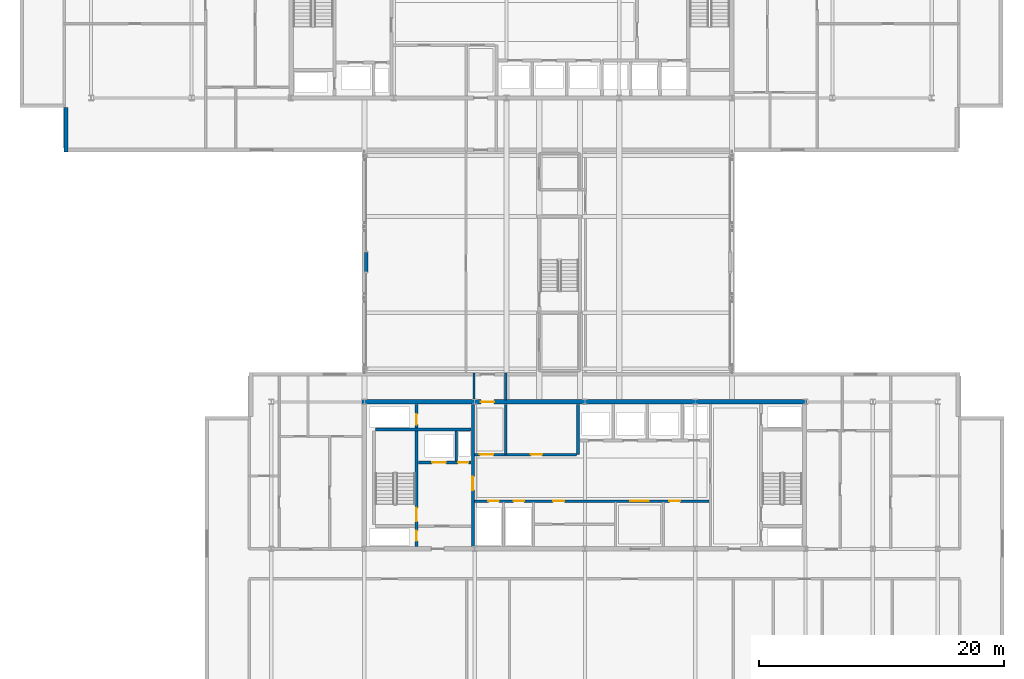
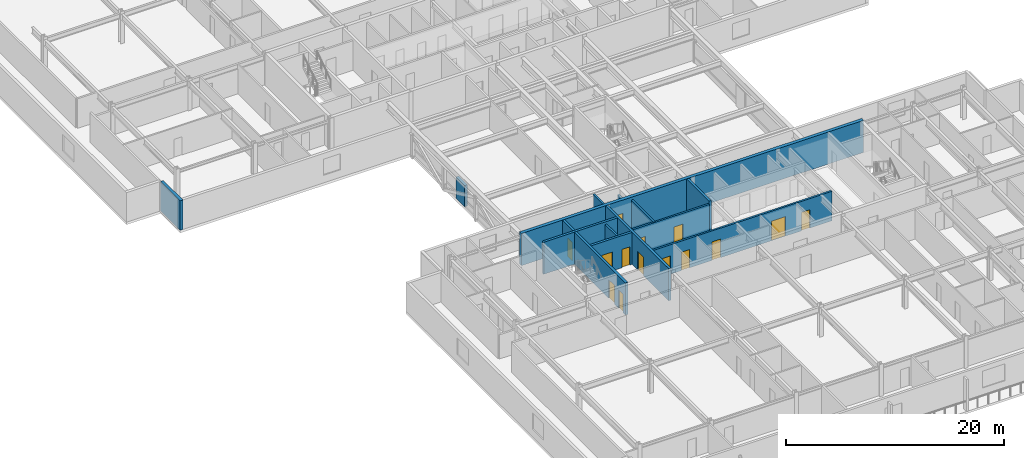
# One storey, part 19 of 35: 14 doors, 14 walls, 14 openings.
"""IFC4 building model written with IfcOpenShell, lengths in metres."""

from ifc_helpers import new_model, si_unit, direction, frame, frame_2d, origin, place, context, subcontext, project, spatial, rectangle, extrude, material, layer, layer_set, type_object, element, fill, save


model = new_model("IFC4")

# Units and contexts
model_context = context("Model", 3, precision=1e-05, world=origin(), true_north=direction((0.0, 1.0)))
body_context = subcontext(model_context, "Body", "Model", "MODEL_VIEW")
ifc_project = project(units=[si_unit("LENGTHUNIT", "METRE"), si_unit("AREAUNIT", "SQUARE_METRE"), si_unit("VOLUMEUNIT", "CUBIC_METRE"), si_unit("PLANEANGLEUNIT", "RADIAN"), si_unit("MASSUNIT", "GRAM", prefix="KILO")], contexts=[model_context])

# Site, building, storey
site_placement = place(None, origin())
site = spatial("IfcSite", under=ifc_project, at=site_placement, CompositionType="ELEMENT")
building_placement = place(site_placement, origin())
building = spatial("IfcBuilding", under=site, at=building_placement, Name="Korimba Cascade Residences", CompositionType="ELEMENT")
storey_placement = place(building_placement, frame((0.0, 0.0, 150.10009765625)))
storey = spatial("IfcBuildingStorey", under=building, at=storey_placement, Name="L43", CompositionType="ELEMENT", Elevation=150.10009765625)

# Walls
ifc_material_1 = material(Name="Precast concrete C40/50", Category="concrete")
ifc_layer_1 = layer(ifc_material_1, 0.300048828125)
ifc_layer_set_1 = layer_set([ifc_layer_1], Name="Precast concrete C40/50")
wall_type_1 = type_object("IfcWallType", Name="EW-STONE-300", PredefinedType="STANDARD", material=ifc_layer_set_1)
wall_1_placement = place(storey_placement, frame((57.75, 54.39990234375, 0.0), z_axis=(0.0, 0.0, 1.0), x_axis=(0.0, -1.0, 0.0)))
element("IfcWall", 1, at=wall_1_placement, inside=storey, type_object=wall_type_1, Name="L43 T1 Perimeter Stone Wall E11", PredefinedType="STANDARD", context=body_context, shape_type="SweptSolid", body=[
    extrude(rectangle(XDim=3.599853515625, YDim=0.300048828125, at=frame_2d((1.7998046875, 0.0))), origin(), (0.0, 0.0, 1.0), 3.309814453125),
])
wall_2_placement = place(storey_placement, frame((82.25, 41.0, 0.0), z_axis=(0.0, 0.0, 1.0), x_axis=(0.0, 1.0, 0.0)))
element("IfcWall", 2, at=wall_2_placement, inside=storey, type_object=wall_type_1, Name="L43 Skybridge West Pier", PredefinedType="STANDARD", context=body_context, shape_type="SweptSolid", body=[
    extrude(rectangle(XDim=1.60009765625, YDim=0.300048828125, at=frame_2d((0.800048828125, 0.0))), origin(), (0.0, 0.0, 1.0), 2.3798828125),
])

# Wall, opening, door
ifc_material_2 = material(Name="Concrete C65/80", Category="concrete")
ifc_layer_2 = layer(ifc_material_2, 0.35009765625)
ifc_layer_set_2 = layer_set([ifc_layer_2], Name="Concrete C65/80")
wall_type_2 = type_object("IfcWallType", Name="WAL-CORE-350", PredefinedType="SHEAR", material=ifc_layer_set_2)
wall_3_placement = place(storey_placement, frame((81.925048828125, 30.39990234375, 0.0), z_axis=(0.0, 0.0, 1.0), x_axis=(1.0, 0.0, 0.0)))
wall_3 = element("IfcWall", 3, at=wall_3_placement, inside=storey, type_object=wall_type_2, Name="L43 Core Shear Wall CW-L43-T2-N", PredefinedType="SHEAR", context=body_context, shape_type="SweptSolid", body=[
    extrude(rectangle(XDim=36.264892578125, YDim=0.35009765625, at=frame_2d((18.13232421875, 0.0))), origin(), (0.0, 0.0, 1.0), 3.599853515625),
])
opening_1_placement = place(wall_3_placement, frame((9.675048828125, 0.0, 0.0)))
opening_1 = element("IfcOpeningElement", 4, at=opening_1_placement, cuts=wall_3, Name="Opening D-FD1", PredefinedType="OPENING", context=body_context, shape_type="SweptSolid", body=[
    extrude(rectangle(XDim=1.10009765625, YDim=2.10009765625, at=frame_2d((0.550048828125, 1.050048828125))), frame((0.0, 0.18505859375, 0.0), z_axis=(0.0, -1.0, 0.0), x_axis=(1.0, 0.0, 0.0)), (0.0, 0.0, 1.0), 0.3701171875),
])
ifc_material_3 = material(Name="Fire-Rated Steel Core Door", Category="steel")
door_type_1 = type_object("IfcDoorType", Name="DR-FD120-1100", OperationType="NOTDEFINED", PredefinedType="DOOR", material=ifc_material_3)
door_1_placement = place(opening_1_placement, origin())
door_1 = element("IfcDoor", 5, at=door_1_placement, inside=storey, type_object=door_type_1, Name="L43 Skybridge to T2 Core Fire Door", OperationType="SINGLE_SWING_LEFT", OverallHeight=2.10009765625, OverallWidth=1.10009765625, PredefinedType="DOOR", context=body_context, shape_type="SweptSolid", body=[
    extrude(rectangle(XDim=1.10009765625, YDim=2.10009765625, at=frame_2d((0.550048828125, 1.050048828125))), frame((0.0, 0.02490234375, 0.0), z_axis=(0.0, -1.0, 0.0), x_axis=(1.0, 0.0, 0.0)), (0.0, 0.0, 1.0), 0.050048828125),
])
fill(opening_1, door_1)

# Walls
ifc_material_4 = material(Name="Concrete C40/50", Category="concrete")
ifc_layer_3 = layer(ifc_material_4, 0.199951171875)
ifc_layer_set_3 = layer_set([ifc_layer_3], Name="Concrete C40/50")
wall_type_3 = type_object("IfcWallType", Name="WAL-PART-200", PredefinedType="PARTITIONING", material=ifc_layer_set_3)
wall_4_placement = place(storey_placement, frame((89.60009765625, 25.580078125, 0.0), z_axis=(0.0, 0.0, 1.0), x_axis=(0.0, 1.0, 0.0)))
element("IfcWall", 6, at=wall_4_placement, inside=storey, type_object=wall_type_3, Name="L43 Partition Wall CW-L43-T2-FFLDIV", PredefinedType="PARTITIONING", context=body_context, shape_type="SweptSolid", body=[
    extrude(rectangle(XDim=2.419921875, YDim=0.199951171875, at=frame_2d((1.2099609375, 0.0))), origin(), (0.0, 0.0, 1.0), 3.309814453125),
])
wall_5_placement = place(storey_placement, frame((93.64990234375, 26.10009765625, 0.0), z_axis=(0.0, 0.0, 1.0), x_axis=(0.0, 1.0, 0.0)))
element("IfcWall", 7, at=wall_5_placement, inside=storey, type_object=wall_type_3, Name="L43 Partition Wall CW-L43-T2-BRGPD", PredefinedType="PARTITIONING", context=body_context, shape_type="SweptSolid", body=[
    extrude(rectangle(XDim=4.099853515625, YDim=0.199951171875, at=frame_2d((2.0498046875, 0.0))), origin(), (0.0, 0.0, 1.0), 3.309814453125),
])

# Wall, openings, doors
wall_6_placement = place(storey_placement, frame((91.080078125, 26.10009765625, 0.0), z_axis=(0.0, 0.0, 1.0), x_axis=(1.0, 0.0, 0.0)))
wall_6 = element("IfcWall", 8, at=wall_6_placement, inside=storey, type_object=wall_type_3, Name="L43 Partition Wall CW-L43-T2-B1RS", PredefinedType="PARTITIONING", context=body_context, shape_type="SweptSolid", body=[
    extrude(rectangle(XDim=8.33984375, YDim=0.199951171875, at=frame_2d((4.169921875, 0.0))), origin(), (0.0, 0.0, 1.0), 3.309814453125),
])
opening_2_placement = place(wall_6_placement, frame((0.449951171875, 0.0, 0.0)))
opening_2 = element("IfcOpeningElement", 9, at=opening_2_placement, cuts=wall_6, Name="Opening D-FD1", PredefinedType="OPENING", context=body_context, shape_type="SweptSolid", body=[
    extrude(rectangle(XDim=1.10009765625, YDim=2.10009765625, at=frame_2d((0.550048828125, 1.050048828125))), frame((0.0, 0.10986328125, 0.0), z_axis=(0.0, -1.0, 0.0), x_axis=(1.0, 0.0, 0.0)), (0.0, 0.0, 1.0), 0.219970703125),
])
opening_3_placement = place(wall_6_placement, frame((4.60009765625, 0.0, 0.0)))
opening_3 = element("IfcOpeningElement", 10, at=opening_3_placement, cuts=wall_6, Name="Opening D-ST1", PredefinedType="OPENING", context=body_context, shape_type="SweptSolid", body=[
    extrude(rectangle(XDim=0.919921875, YDim=2.080078125, at=frame_2d((0.4599609375, 1.0400390625))), frame((0.0, 0.10986328125, 0.0), z_axis=(0.0, -1.0, 0.0), x_axis=(1.0, 0.0, 0.0)), (0.0, 0.0, 1.0), 0.219970703125),
])
door_2_placement = place(opening_2_placement, origin())
door_2 = element("IfcDoor", 11, at=door_2_placement, inside=storey, type_object=door_type_1, Name="L43 Skybridge Vestibule to T2 Lift Lobby Door", OperationType="SINGLE_SWING_RIGHT", OverallHeight=2.10009765625, OverallWidth=1.10009765625, PredefinedType="DOOR", context=body_context, shape_type="SweptSolid", body=[
    extrude(rectangle(XDim=1.10009765625, YDim=2.10009765625, at=frame_2d((0.550048828125, 1.050048828125))), frame((0.0, 0.02490234375, 0.0), z_axis=(0.0, -1.0, 0.0), x_axis=(1.0, 0.0, 0.0)), (0.0, 0.0, 1.0), 0.050048828125),
])
fill(opening_2, door_2)
ifc_material_5 = material(Name="Fire-Rated Core Store Door", Category="wood")
door_type_2 = type_object("IfcDoorType", Name="DR-FD60-920", OperationType="NOTDEFINED", PredefinedType="DOOR", material=ifc_material_5)
door_3_placement = place(opening_3_placement, origin())
door_3 = element("IfcDoor", 12, at=door_3_placement, inside=storey, type_object=door_type_2, Name="L43 T2 Resident Storage Door", OperationType="SINGLE_SWING_LEFT", OverallHeight=2.080078125, OverallWidth=0.919921875, PredefinedType="DOOR", context=body_context, shape_type="SweptSolid", body=[
    extrude(rectangle(XDim=0.919921875, YDim=2.080078125, at=frame_2d((0.4599609375, 1.0400390625))), frame((0.0, 0.02490234375, 0.0), z_axis=(0.0, -1.0, 0.0), x_axis=(1.0, 0.0, 0.0)), (0.0, 0.0, 1.0), 0.050048828125),
])
fill(opening_3, door_3)

wall_7_placement = place(storey_placement, frame((91.080078125, 22.300048828125, 0.0), z_axis=(0.0, 0.0, 1.0), x_axis=(1.0, 0.0, 0.0)))
wall_7 = element("IfcWall", 13, at=wall_7_placement, inside=storey, type_object=wall_type_3, Name="L43 Partition Wall CW-L43-T2-SRVROW", PredefinedType="PARTITIONING", context=body_context, shape_type="SweptSolid", body=[
    extrude(rectangle(XDim=19.139892578125, YDim=0.199951171875, at=frame_2d((9.56982421875, 0.0))), origin(), (0.0, 0.0, 1.0), 3.309814453125),
])
opening_4_placement = place(wall_7_placement, frame((1.14990234375, 0.0, 0.0)))
opening_4 = element("IfcOpeningElement", 14, at=opening_4_placement, cuts=wall_7, Name="Opening D-RS1", PredefinedType="OPENING", context=body_context, shape_type="SweptSolid", body=[
    extrude(rectangle(XDim=0.85009765625, YDim=2.050048828125, at=frame_2d((0.425048828125, 1.02490234375))), frame((0.0, 0.10986328125, 0.0), z_axis=(0.0, -1.0, 0.0), x_axis=(1.0, 0.0, 0.0)), (0.0, 0.0, 1.0), 0.219970703125),
])
opening_5_placement = place(wall_7_placement, frame((3.199951171875, 0.0, 0.0)))
opening_5 = element("IfcOpeningElement", 15, at=opening_5_placement, cuts=wall_7, Name="Opening D-RS1", PredefinedType="OPENING", context=body_context, shape_type="SweptSolid", body=[
    extrude(rectangle(XDim=0.85009765625, YDim=2.050048828125, at=frame_2d((0.425048828125, 1.02490234375))), frame((0.0, 0.10986328125, 0.0), z_axis=(0.0, -1.0, 0.0), x_axis=(1.0, 0.0, 0.0)), (0.0, 0.0, 1.0), 0.219970703125),
])
opening_6_placement = place(wall_7_placement, frame((12.719970703125, 0.0, 0.0)))
opening_6 = element("IfcOpeningElement", 16, at=opening_6_placement, cuts=wall_7, Name="Opening D-FD8", PredefinedType="OPENING", context=body_context, shape_type="SweptSolid", body=[
    extrude(rectangle(XDim=1.5, YDim=2.199951171875, at=frame_2d((0.75, 1.10009765625))), frame((0.0, 0.10986328125, 0.0), z_axis=(0.0, -1.0, 0.0), x_axis=(1.0, 0.0, 0.0)), (0.0, 0.0, 1.0), 0.219970703125),
])
opening_7_placement = place(wall_7_placement, frame((6.419921875, 0.0, 0.0)))
opening_7 = element("IfcOpeningElement", 17, at=opening_7_placement, cuts=wall_7, Name="Opening D-IN1", PredefinedType="OPENING", context=body_context, shape_type="SweptSolid", body=[
    extrude(rectangle(XDim=0.919921875, YDim=2.080078125, at=frame_2d((0.4599609375, 1.0400390625))), frame((0.0, 0.10986328125, 0.0), z_axis=(0.0, -1.0, 0.0), x_axis=(1.0, 0.0, 0.0)), (0.0, 0.0, 1.0), 0.219970703125),
])
opening_8_placement = place(wall_7_placement, frame((15.919921875, 0.0, 0.0)))
opening_8 = element("IfcOpeningElement", 18, at=opening_8_placement, cuts=wall_7, Name="Opening D-IN2", PredefinedType="OPENING", context=body_context, shape_type="SweptSolid", body=[
    extrude(rectangle(XDim=0.8798828125, YDim=2.06005859375, at=frame_2d((0.43994140625, 1.030029296875))), frame((0.0, 0.10986328125, 0.0), z_axis=(0.0, -1.0, 0.0), x_axis=(1.0, 0.0, 0.0)), (0.0, 0.0, 1.0), 0.219970703125),
])
ifc_material_6 = material(Name="Fire-Rated Steel Riser Access Door", Category="steel")
door_type_3 = type_object("IfcDoorType", Name="DR-FD60-850", OperationType="NOTDEFINED", PredefinedType="DOOR", material=ifc_material_6)
door_4_placement = place(opening_4_placement, origin())
door_4 = element("IfcDoor", 19, at=door_4_placement, inside=storey, type_object=door_type_3, Name="L43 T2 Electrical Riser Door", OperationType="SINGLE_SWING_RIGHT", OverallHeight=2.050048828125, OverallWidth=0.85009765625, PredefinedType="DOOR", context=body_context, shape_type="SweptSolid", body=[
    extrude(rectangle(XDim=0.85009765625, YDim=2.050048828125, at=frame_2d((0.425048828125, 1.02490234375))), frame((0.0, 0.02490234375, 0.0), z_axis=(0.0, -1.0, 0.0), x_axis=(1.0, 0.0, 0.0)), (0.0, 0.0, 1.0), 0.050048828125),
])
fill(opening_4, door_4)
door_5_placement = place(opening_5_placement, origin())
door_5 = element("IfcDoor", 20, at=door_5_placement, inside=storey, type_object=door_type_3, Name="L43 T2 Plumbing Riser Door", OperationType="SINGLE_SWING_LEFT", OverallHeight=2.050048828125, OverallWidth=0.85009765625, PredefinedType="DOOR", context=body_context, shape_type="SweptSolid", body=[
    extrude(rectangle(XDim=0.85009765625, YDim=2.050048828125, at=frame_2d((0.425048828125, 1.02490234375))), frame((0.0, 0.02490234375, 0.0), z_axis=(0.0, -1.0, 0.0), x_axis=(1.0, 0.0, 0.0)), (0.0, 0.0, 1.0), 0.050048828125),
])
fill(opening_5, door_5)
ifc_material_7 = material(Name="Fire-Rated Glazed Lift Lobby Double Door", Category="glass")
door_type_4 = type_object("IfcDoorType", Name="DR-FD90-1500", OperationType="NOTDEFINED", PredefinedType="DOOR", material=ifc_material_7)
door_6_placement = place(opening_6_placement, origin())
door_6 = element("IfcDoor", 21, at=door_6_placement, inside=storey, type_object=door_type_4, Name="L43 T2 Lift Lobby Foyer Door", OperationType="DOUBLE_DOOR_SINGLE_SWING", OverallHeight=2.199951171875, OverallWidth=1.5, PredefinedType="DOOR", context=body_context, shape_type="SweptSolid", body=[
    extrude(rectangle(XDim=1.5, YDim=2.199951171875, at=frame_2d((0.75, 1.10009765625))), frame((0.0, 0.02490234375, 0.0), z_axis=(0.0, -1.0, 0.0), x_axis=(1.0, 0.0, 0.0)), (0.0, 0.0, 1.0), 0.050048828125),
])
fill(opening_6, door_6)
ifc_material_8 = material(Name="Acoustic Timber Bedroom Door", Category="wood")
door_type_5 = type_object("IfcDoorType", Name="DR-INT-880", OperationType="NOTDEFINED", PredefinedType="DOOR", material=ifc_material_8)
door_7_placement = place(opening_8_placement, origin())
door_7 = element("IfcDoor", 22, at=door_7_placement, inside=storey, type_object=door_type_5, Name="L43 T2 Staff WC Door", OperationType="SINGLE_SWING_LEFT", OverallHeight=2.06005859375, OverallWidth=0.8798828125, PredefinedType="DOOR", context=body_context, shape_type="SweptSolid", body=[
    extrude(rectangle(XDim=0.8798828125, YDim=2.06005859375, at=frame_2d((0.43994140625, 1.030029296875))), frame((0.0, 0.02490234375, 0.0), z_axis=(0.0, -1.0, 0.0), x_axis=(1.0, 0.0, 0.0)), (0.0, 0.0, 1.0), 0.050048828125),
])
fill(opening_8, door_7)
ifc_material_9 = material(Name="Acoustic Timber Living Door", Category="wood")
door_type_6 = type_object("IfcDoorType", Name="DR-INT-920", OperationType="NOTDEFINED", PredefinedType="DOOR", material=ifc_material_9)
door_8_placement = place(opening_7_placement, origin())
door_8 = element("IfcDoor", 23, at=door_8_placement, inside=storey, type_object=door_type_6, Name="L43 T2 Locker Door", OperationType="SINGLE_SWING_RIGHT", OverallHeight=2.080078125, OverallWidth=0.919921875, PredefinedType="DOOR", context=body_context, shape_type="SweptSolid", body=[
    extrude(rectangle(XDim=0.919921875, YDim=2.080078125, at=frame_2d((0.4599609375, 1.0400390625))), frame((0.0, 0.02490234375, 0.0), z_axis=(0.0, -1.0, 0.0), x_axis=(1.0, 0.0, 0.0)), (0.0, 0.0, 1.0), 0.050048828125),
])
fill(opening_7, door_8)

# Walls
wall_8_placement = place(storey_placement, frame((91.050048828125, 30.550048828125, 0.0), z_axis=(0.0, 0.0, 1.0), x_axis=(0.0, 1.0, 0.0)))
element("IfcWall", 24, at=wall_8_placement, inside=storey, type_object=wall_type_3, Name="L43 Partition Wall WAL-L43-T2-NBRGW", PredefinedType="PARTITIONING", context=body_context, shape_type="SweptSolid", body=[
    extrude(rectangle(XDim=2.199951171875, YDim=0.199951171875, at=frame_2d((1.10009765625, 0.0))), origin(), (0.0, 0.0, 1.0), 3.309814453125),
])
wall_9_placement = place(storey_placement, frame((93.64990234375, 30.550048828125, 0.0), z_axis=(0.0, 0.0, 1.0), x_axis=(0.0, 1.0, 0.0)))
element("IfcWall", 25, at=wall_9_placement, inside=storey, type_object=wall_type_3, Name="L43 Partition Wall WAL-L43-T2-NBRGE", PredefinedType="PARTITIONING", context=body_context, shape_type="SweptSolid", body=[
    extrude(rectangle(XDim=2.199951171875, YDim=0.199951171875, at=frame_2d((1.10009765625, 0.0))), origin(), (0.0, 0.0, 1.0), 2.388916015625),
])

# Wall, openings, doors
ifc_material_10 = material(Name="Concrete C50/60", Category="concrete")
ifc_layer_4 = layer(ifc_material_10, 0.25)
ifc_layer_set_4 = layer_set([ifc_layer_4], Name="Concrete C50/60")
wall_type_4 = type_object("IfcWallType", Name="WAL-SHAFT-250", PredefinedType="SHEAR", material=ifc_layer_set_4)
wall_10_placement = place(storey_placement, frame((86.364990234375, 18.60009765625, 0.0), z_axis=(0.0, 0.0, 1.0), x_axis=(0.0, 1.0, 0.0)))
wall_10 = element("IfcWall", 26, at=wall_10_placement, inside=storey, type_object=wall_type_4, Name="L43 Core Shear Wall CW-L43-T2-STE1E", PredefinedType="SHEAR", context=body_context, shape_type="SweptSolid", body=[
    extrude(rectangle(XDim=11.599853515625, YDim=0.25, at=frame_2d((5.7998046875, 0.0))), origin(), (0.0, 0.0, 1.0), 3.599853515625),
])
opening_9_placement = place(wall_10_placement, frame((0.449951171875, 0.0, 0.0)))
opening_9 = element("IfcOpeningElement", 27, at=opening_9_placement, cuts=wall_10, Name="Opening D-RS1", PredefinedType="OPENING", context=body_context, shape_type="SweptSolid", body=[
    extrude(rectangle(XDim=0.85009765625, YDim=2.050048828125, at=frame_2d((0.425048828125, 1.02490234375))), frame((0.0, 0.135009765625, 0.0), z_axis=(0.0, -1.0, 0.0), x_axis=(1.0, 0.0, 0.0)), (0.0, 0.0, 1.0), 0.27001953125),
])
opening_10_placement = place(wall_10_placement, frame((2.050048828125, 0.0, 0.0)))
opening_10 = element("IfcOpeningElement", 28, at=opening_10_placement, cuts=wall_10, Name="Opening D-FD1", PredefinedType="OPENING", context=body_context, shape_type="SweptSolid", body=[
    extrude(rectangle(XDim=1.10009765625, YDim=2.10009765625, at=frame_2d((0.550048828125, 1.050048828125))), frame((0.0, 0.135009765625, 0.0), z_axis=(0.0, -1.0, 0.0), x_axis=(1.0, 0.0, 0.0)), (0.0, 0.0, 1.0), 0.27001953125),
])
opening_11_placement = place(wall_10_placement, frame((9.949951171875, 0.0, 0.0)))
opening_11 = element("IfcOpeningElement", 29, at=opening_11_placement, cuts=wall_10, Name="Opening D-RS1", PredefinedType="OPENING", context=body_context, shape_type="SweptSolid", body=[
    extrude(rectangle(XDim=0.85009765625, YDim=2.050048828125, at=frame_2d((0.425048828125, 1.02490234375))), frame((0.0, 0.135009765625, 0.0), z_axis=(0.0, -1.0, 0.0), x_axis=(1.0, 0.0, 0.0)), (0.0, 0.0, 1.0), 0.27001953125),
])
door_9_placement = place(opening_10_placement, origin())
door_9 = element("IfcDoor", 30, at=door_9_placement, inside=storey, type_object=door_type_1, Name="L43 Fire Stair ST-E1 Door", OperationType="SINGLE_SWING_LEFT", OverallHeight=2.10009765625, OverallWidth=1.10009765625, PredefinedType="DOOR", context=body_context, shape_type="SweptSolid", body=[
    extrude(rectangle(XDim=1.10009765625, YDim=2.10009765625, at=frame_2d((0.550048828125, 1.050048828125))), frame((0.0, 0.02490234375, 0.0), z_axis=(0.0, -1.0, 0.0), x_axis=(1.0, 0.0, 0.0)), (0.0, 0.0, 1.0), 0.050048828125),
])
fill(opening_10, door_9)
door_10_placement = place(opening_9_placement, origin())
door_10 = element("IfcDoor", 31, at=door_10_placement, inside=storey, type_object=door_type_3, Name="L43 T2 Hydrant Riser Door", OperationType="SINGLE_SWING_RIGHT", OverallHeight=2.050048828125, OverallWidth=0.85009765625, PredefinedType="DOOR", context=body_context, shape_type="SweptSolid", body=[
    extrude(rectangle(XDim=0.85009765625, YDim=2.050048828125, at=frame_2d((0.425048828125, 1.02490234375))), frame((0.0, 0.02490234375, 0.0), z_axis=(0.0, -1.0, 0.0), x_axis=(1.0, 0.0, 0.0)), (0.0, 0.0, 1.0), 0.050048828125),
])
fill(opening_9, door_10)
door_11_placement = place(opening_11_placement, origin())
door_11 = element("IfcDoor", 32, at=door_11_placement, inside=storey, type_object=door_type_3, Name="L43 T2 Smoke Shaft Door", OperationType="SINGLE_SWING_RIGHT", OverallHeight=2.050048828125, OverallWidth=0.85009765625, PredefinedType="DOOR", context=body_context, shape_type="SweptSolid", body=[
    extrude(rectangle(XDim=0.85009765625, YDim=2.050048828125, at=frame_2d((0.425048828125, 1.02490234375))), frame((0.0, 0.02490234375, 0.0), z_axis=(0.0, -1.0, 0.0), x_axis=(1.0, 0.0, 0.0)), (0.0, 0.0, 1.0), 0.050048828125),
])
fill(opening_11, door_11)

# Wall
wall_11_placement = place(storey_placement, frame((83.0, 28.125, 0.0), z_axis=(0.0, 0.0, 1.0), x_axis=(1.0, 0.0, 0.0)))
element("IfcWall", 33, at=wall_11_placement, inside=storey, type_object=wall_type_4, Name="L43 Core Shear Wall CW-L43-T2-STE1N", PredefinedType="SHEAR", context=body_context, shape_type="SweptSolid", body=[
    extrude(rectangle(XDim=7.820068359375, YDim=0.25, at=frame_2d((3.91015625, 0.0))), origin(), (0.0, 0.0, 1.0), 3.599853515625),
])

# Wall, openings, doors
wall_12_placement = place(storey_placement, frame((86.5, 25.449951171875, 0.0), z_axis=(0.0, 0.0, 1.0), x_axis=(1.0, 0.0, 0.0)))
wall_12 = element("IfcWall", 34, at=wall_12_placement, inside=storey, type_object=wall_type_4, Name="L43 Core Shear Wall CW-L43-T2-FFLN", PredefinedType="SHEAR", context=body_context, shape_type="SweptSolid", body=[
    extrude(rectangle(XDim=4.320068359375, YDim=0.25, at=frame_2d((2.16015625, 0.0))), origin(), (0.0, 0.0, 1.0), 3.599853515625),
])
opening_12_placement = place(wall_12_placement, frame((1.139892578125, 0.0, 0.0)))
opening_12 = element("IfcOpeningElement", 35, at=opening_12_placement, cuts=wall_12, Name="Opening LD-01", PredefinedType="OPENING", context=body_context, shape_type="SweptSolid", body=[
    extrude(rectangle(XDim=1.1201171875, YDim=2.1201171875, at=frame_2d((0.56005859375, 1.06005859375))), frame((0.0, 0.135009765625, 0.0), z_axis=(0.0, -1.0, 0.0), x_axis=(1.0, 0.0, 0.0)), (0.0, 0.0, 1.0), 0.27001953125),
])
opening_13_placement = place(wall_12_placement, frame((3.25, 0.0, 0.0)))
opening_13 = element("IfcOpeningElement", 36, at=opening_13_placement, cuts=wall_12, Name="Opening D-RS1", PredefinedType="OPENING", context=body_context, shape_type="SweptSolid", body=[
    extrude(rectangle(XDim=0.85009765625, YDim=2.050048828125, at=frame_2d((0.425048828125, 1.02490234375))), frame((0.0, 0.135009765625, 0.0), z_axis=(0.0, -1.0, 0.0), x_axis=(1.0, 0.0, 0.0)), (0.0, 0.0, 1.0), 0.27001953125),
])
door_12_placement = place(opening_13_placement, origin())
door_12 = element("IfcDoor", 37, at=door_12_placement, inside=storey, type_object=door_type_3, Name="L43 T2 Pressurisation Riser Door", OperationType="SINGLE_SWING_LEFT", OverallHeight=2.050048828125, OverallWidth=0.85009765625, PredefinedType="DOOR", context=body_context, shape_type="SweptSolid", body=[
    extrude(rectangle(XDim=0.85009765625, YDim=2.050048828125, at=frame_2d((0.425048828125, 1.02490234375))), frame((0.0, 0.02490234375, 0.0), z_axis=(0.0, -1.0, 0.0), x_axis=(1.0, 0.0, 0.0)), (0.0, 0.0, 1.0), 0.050048828125),
])
fill(opening_13, door_12)
ifc_material_11 = material(Name="Stainless Steel Lift Landing Sliding Door", Category="steel")
door_type_7 = type_object("IfcDoorType", Name="DR-LIFT-1100", OperationType="NOTDEFINED", PredefinedType="DOOR", material=ifc_material_11)
door_13_placement = place(opening_12_placement, origin())
door_13 = element("IfcDoor", 38, at=door_13_placement, inside=storey, type_object=door_type_7, Name="L43 Firefighting Lift Landing Door FFL-E1", OperationType="SLIDING_TO_RIGHT", OverallHeight=2.1201171875, OverallWidth=1.1201171875, PredefinedType="DOOR", context=body_context, shape_type="SweptSolid", body=[
    extrude(rectangle(XDim=1.1201171875, YDim=2.1201171875, at=frame_2d((0.56005859375, 1.06005859375))), frame((0.0, 0.02490234375, 0.0), z_axis=(0.0, -1.0, 0.0), x_axis=(1.0, 0.0, 0.0)), (0.0, 0.0, 1.0), 0.050048828125),
])
fill(opening_12, door_13)

# Wall, opening, door
wall_13_placement = place(storey_placement, frame((90.949951171875, 18.60009765625, 0.0), z_axis=(0.0, 0.0, 1.0), x_axis=(0.0, 1.0, 0.0)))
wall_13 = element("IfcWall", 39, at=wall_13_placement, inside=storey, type_object=wall_type_4, Name="L43 Core Shear Wall CW-L43-T2-FFLE", PredefinedType="SHEAR", context=body_context, shape_type="SweptSolid", body=[
    extrude(rectangle(XDim=11.599853515625, YDim=0.25, at=frame_2d((5.7998046875, 0.0))), origin(), (0.0, 0.0, 1.0), 3.599853515625),
])
opening_14_placement = place(wall_13_placement, frame((4.60009765625, 0.0, 0.0)))
opening_14 = element("IfcOpeningElement", 40, at=opening_14_placement, cuts=wall_13, Name="Opening D-FD1", PredefinedType="OPENING", context=body_context, shape_type="SweptSolid", body=[
    extrude(rectangle(XDim=1.10009765625, YDim=2.10009765625, at=frame_2d((0.550048828125, 1.050048828125))), frame((0.0, 0.135009765625, 0.0), z_axis=(0.0, -1.0, 0.0), x_axis=(1.0, 0.0, 0.0)), (0.0, 0.0, 1.0), 0.27001953125),
])
door_14_placement = place(opening_14_placement, origin())
door_14 = element("IfcDoor", 41, at=door_14_placement, inside=storey, type_object=door_type_1, Name="L43 T2 Firefighting Lobby to Lift Lobby Door", OperationType="SINGLE_SWING_LEFT", OverallHeight=2.10009765625, OverallWidth=1.10009765625, PredefinedType="DOOR", context=body_context, shape_type="SweptSolid", body=[
    extrude(rectangle(XDim=1.10009765625, YDim=2.10009765625, at=frame_2d((0.550048828125, 1.050048828125))), frame((0.0, 0.02490234375, 0.0), z_axis=(0.0, -1.0, 0.0), x_axis=(1.0, 0.0, 0.0)), (0.0, 0.0, 1.0), 0.050048828125),
])
fill(opening_14, door_14)

# Wall
wall_14_placement = place(storey_placement, frame((99.550048828125, 26.10009765625, 0.0), z_axis=(0.0, 0.0, 1.0), x_axis=(0.0, 1.0, 0.0)))
element("IfcWall", 42, at=wall_14_placement, inside=storey, type_object=wall_type_4, Name="L43 Core Shear Wall CW-L43-T2-B12DIV", PredefinedType="SHEAR", context=body_context, shape_type="SweptSolid", body=[
    extrude(rectangle(XDim=4.099853515625, YDim=0.25, at=frame_2d((2.0498046875, 0.0))), origin(), (0.0, 0.0, 1.0), 3.599853515625),
])

save(model, "model.ifc")
